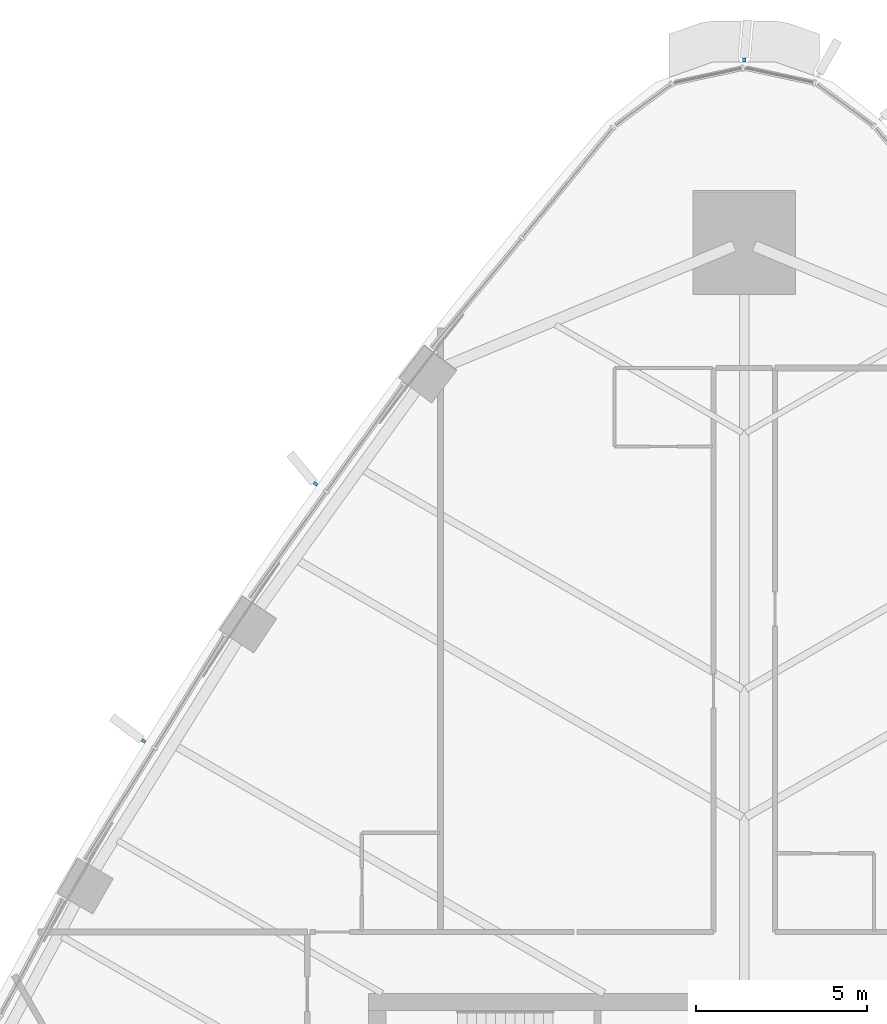
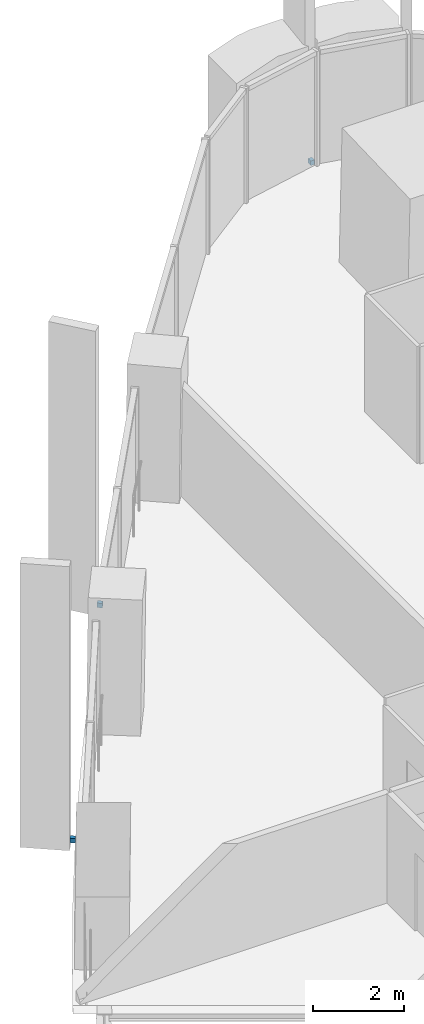
# One storey, part 18 of 25: 3 discrete accessories.
"""IFC4 building model written with IfcOpenShell, lengths in metres."""

from ifc_helpers import new_model, si_unit, direction, frame, origin, origin_2d, place, context, subcontext, project, spatial, rectangle, extrude, material, type_object, element, save


model = new_model("IFC4")

# Units and contexts
model_context = context("Model", 3, precision=1e-05, world=origin(), true_north=direction((0.0, 1.0)))
body_context = subcontext(model_context, "Body", "Model", "MODEL_VIEW")
ifc_project = project(units=[si_unit("LENGTHUNIT", "METRE"), si_unit("AREAUNIT", "SQUARE_METRE"), si_unit("VOLUMEUNIT", "CUBIC_METRE"), si_unit("PLANEANGLEUNIT", "RADIAN"), si_unit("MASSUNIT", "GRAM", prefix="KILO")], contexts=[model_context])

# Site, building, storey
site_placement = place(None, origin())
site = spatial("IfcSite", under=ifc_project, at=site_placement, CompositionType="ELEMENT")
building_placement = place(site_placement, origin())
building = spatial("IfcBuilding", under=site, at=building_placement, Name="Sierra Prisma Convention Tower", CompositionType="ELEMENT")
storey_placement = place(building_placement, frame((0.0, 0.0, 88.699951171875)))
storey = spatial("IfcBuildingStorey", under=building, at=storey_placement, Name="L18", CompositionType="ELEMENT", Elevation=88.699951171875)

# Discrete accessories
ifc_material = material(Name="Stainless steel 316", Category="steel")
discrete_accessory_type = type_object("IfcDiscreteAccessoryType", Name="Fin bracket", PredefinedType="BRACKET", material=ifc_material)
for number, where, z_axis, x_axis, name in (
    (1, (0.0, 35.345947265625, -0.135009765625), (0.0, 0.0, 1.0), (0.0, 1.0, 0.0), "Fin bracket L18.19 base"),
    (2, (-12.555419921875, 22.9248046875, -0.135009765625), (0.0, 0.0, 1.0), (-0.816131867578, 0.577865706479, 0.0), "Fin bracket L18.25 base"),
    (3, (-17.59326171875, 15.393798828125, -0.135009765625), (0.0, 0.0, 1.0), (-0.847690160118, 0.530491651621, 0.0), "Fin bracket L18.28 base"),
):
    element("IfcDiscreteAccessory", number, at=place(storey_placement, frame(where, z_axis=z_axis, x_axis=x_axis)), inside=storey, type_object=discrete_accessory_type, Name=name, PredefinedType="BRACKET", context=body_context, shape_type="SweptSolid", body=[
        extrude(rectangle(XDim=0.1201171875, YDim=0.10009765625, at=origin_2d()), origin(), (0.0, 0.0, 1.0), 0.1201171875),
    ])

save(model, "model.ifc")
